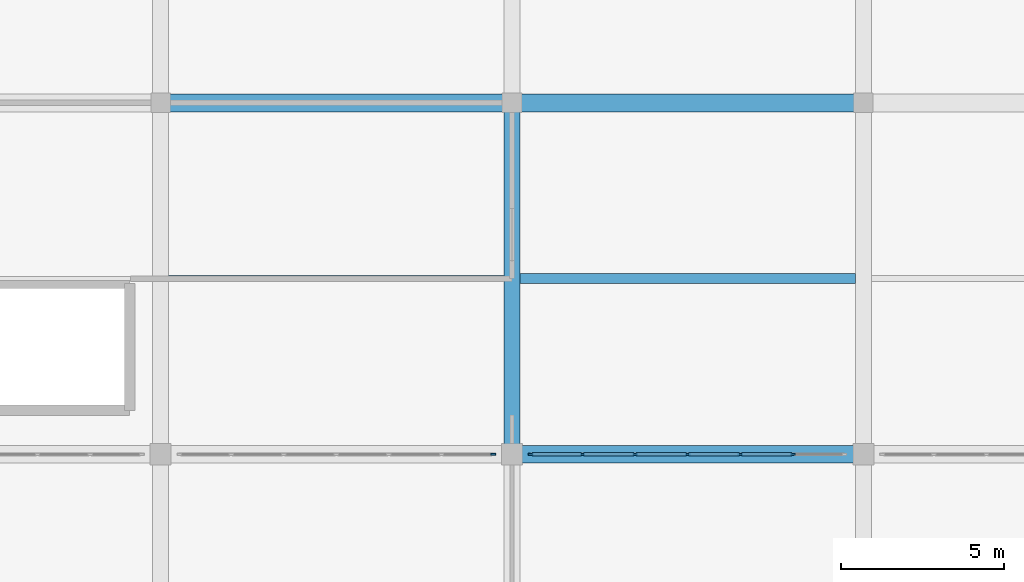
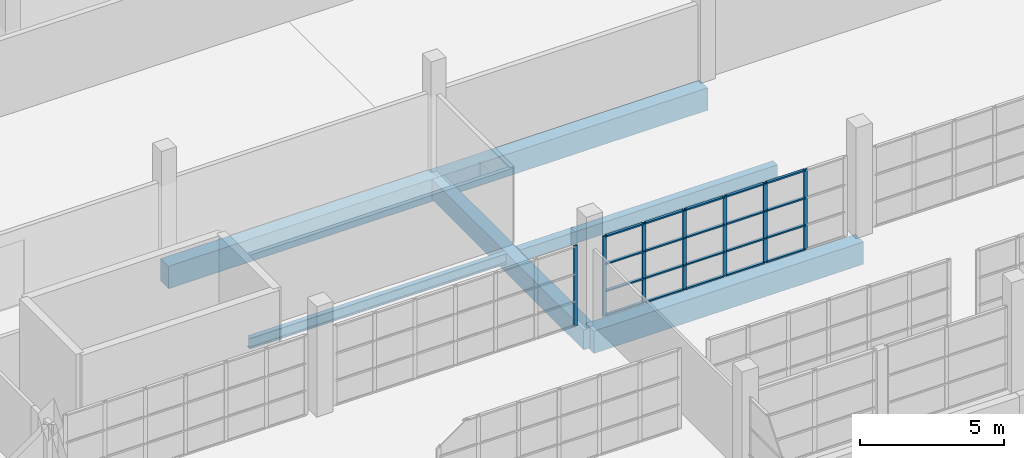
# One storey, part 47 of 142: 27 members, 6 beams, 2 elements without a shape of their own.
"""IFC4 building model written with IfcOpenShell, lengths in metres."""

from ifc_helpers import new_model, si_unit, direction, frame, origin, origin_2d, place, context, subcontext, project, spatial, rectangle, i_section, extrude, material, material_profile, profile_set, type_object, element, aggregate, save


model = new_model("IFC4")

# Units and contexts
model_context = context("Model", 3, precision=1e-05, world=origin(), true_north=direction((0.0, 1.0)))
body_context = subcontext(model_context, "Body", "Model", "MODEL_VIEW")
ifc_project = project(units=[si_unit("LENGTHUNIT", "METRE"), si_unit("AREAUNIT", "SQUARE_METRE"), si_unit("VOLUMEUNIT", "CUBIC_METRE"), si_unit("PLANEANGLEUNIT", "RADIAN"), si_unit("MASSUNIT", "GRAM", prefix="KILO")], contexts=[model_context])

# Site, building, storey
site_placement = place(None, origin())
site = spatial("IfcSite", under=ifc_project, at=site_placement, CompositionType="ELEMENT")
building_placement = place(site_placement, origin())
building = spatial("IfcBuilding", under=site, at=building_placement, Name="Zwinboog Wholesale Market", CompositionType="ELEMENT")
storey_placement = place(building_placement, frame((0.0, 0.0, 5.39990234375)))
storey = spatial("IfcBuildingStorey", under=building, at=storey_placement, Name="L01", CompositionType="ELEMENT", Elevation=5.39990234375)

# Beams
ifc_material_1 = material(Name="Precast concrete C45/55", Category="concrete")
ifc_material_profile_1 = material_profile(ifc_material_1, rectangle(XDim=0.550048828125, YDim=0.949951171875, at=origin_2d()), Name="PC 550x950")
ifc_profile_set_1 = profile_set([ifc_material_profile_1], Name="Precast concrete C45/55")
beam_type_1 = type_object("IfcBeamType", Name="BT-02", PredefinedType="BEAM", material=ifc_profile_set_1)
beam_1_placement = place(storey_placement, frame((86.39990234375, 97.199951171875, -0.7548828125), z_axis=(1.0, 0.0, 0.0), x_axis=(0.0, 1.0, 0.0)))
element("IfcBeam", 1, at=beam_1_placement, inside=storey, type_object=beam_type_1, Name="BG-02 (BMG-L01-0864-0972-0533)", PredefinedType="BEAM", context=body_context, shape_type="SweptSolid", body=[
    extrude(rectangle(XDim=0.550048828125, YDim=0.949951171875, at=origin_2d()), origin(), (0.0, 0.0, 1.0), 10.800048828125),
])
beam_2_placement = place(storey_placement, frame((75.60009765625, 108.0, -0.77978515625), z_axis=(1.0, 0.0, 0.0), x_axis=(0.0, 1.0, 0.0)))
element("IfcBeam", 2, at=beam_2_placement, inside=storey, type_object=beam_type_1, Name="BG-02 (BMG-L01-0756-1080-0548)", PredefinedType="BEAM", context=body_context, shape_type="SweptSolid", body=[
    extrude(rectangle(XDim=0.550048828125, YDim=0.949951171875, at=origin_2d()), origin(), (0.0, 0.0, 1.0), 10.7998046875),
])
beam_3_placement = place(storey_placement, frame((86.39990234375, 108.0, -0.77978515625), z_axis=(1.0, 0.0, 0.0), x_axis=(0.0, 1.0, 0.0)))
element("IfcBeam", 3, at=beam_3_placement, inside=storey, type_object=beam_type_1, Name="BG-02 (BMG-L01-0864-1080-0549)", PredefinedType="BEAM", context=body_context, shape_type="SweptSolid", body=[
    extrude(rectangle(XDim=0.550048828125, YDim=0.949951171875, at=origin_2d()), origin(), (0.0, 0.0, 1.0), 10.800048828125),
])
ifc_material_profile_2 = material_profile(ifc_material_1, rectangle(XDim=0.5, YDim=0.85009765625, at=origin_2d()), Name="PC 500x850")
ifc_profile_set_2 = profile_set([ifc_material_profile_2], Name="Precast concrete C45/55")
beam_type_2 = type_object("IfcBeamType", Name="BT-03", PredefinedType="BEAM", material=ifc_profile_set_2)
beam_4_placement = place(storey_placement, frame((86.39990234375, 97.199951171875, -0.72998046875), z_axis=(0.0, 1.0, 0.0), x_axis=(-1.0, 0.0, 0.0)))
element("IfcBeam", 4, at=beam_4_placement, inside=storey, type_object=beam_type_2, Name="BG-03 (BMG-L01-0864-0972-0686)", PredefinedType="BEAM", context=body_context, shape_type="SweptSolid", body=[
    extrude(rectangle(XDim=0.5, YDim=0.85009765625, at=origin_2d()), origin(), (0.0, 0.0, 1.0), 10.800048828125),
])
ifc_material_profile_3 = material_profile(ifc_material_1, rectangle(XDim=0.300048828125, YDim=0.5, at=origin_2d()), Name="PC 300x500")
ifc_profile_set_3 = profile_set([ifc_material_profile_3], Name="Precast concrete C45/55")
beam_type_3 = type_object("IfcBeamType", Name="BT-10", PredefinedType="JOIST", material=ifc_profile_set_3)
beam_5_placement = place(storey_placement, frame((86.64990234375, 102.60009765625, -0.52978515625), z_axis=(1.0, 0.0, 0.0), x_axis=(0.0, 1.0, 0.0)))
element("IfcBeam", 5, at=beam_5_placement, inside=storey, type_object=beam_type_3, Name="BJ-01 (BMG-L01-0866-1026-0835)", PredefinedType="JOIST", context=body_context, shape_type="SweptSolid", body=[
    extrude(rectangle(XDim=0.300048828125, YDim=0.5, at=origin_2d()), origin(), (0.0, 0.0, 1.0), 10.300048828125),
])
ifc_material_2 = material(Name="Steel S355", Category="steel")
ifc_material_profile_4 = material_profile(ifc_material_2, i_section(OverallWidth=0.18994140625, OverallDepth=0.449951171875, WebThickness=0.009521484375, FlangeThickness=0.0146484375, FilletRadius=0.02099609375, at=origin_2d()), Name="IPE 450")
ifc_profile_set_4 = profile_set([ifc_material_profile_4], Name="Steel S355")
beam_type_4 = type_object("IfcBeamType", Name="BT-19", PredefinedType="JOIST", material=ifc_profile_set_4)
beam_6_placement = place(storey_placement, frame((75.85009765625, 102.60009765625, -0.5048828125), z_axis=(1.0, 0.0, 0.0), x_axis=(0.0, 1.0, 0.0)))
element("IfcBeam", 6, at=beam_6_placement, inside=storey, type_object=beam_type_4, Name="SJ-02 (BMG-L01-0758-1026-0827)", PredefinedType="JOIST", context=body_context, shape_type="SweptSolid", body=[
    extrude(i_section(OverallWidth=0.18994140625, OverallDepth=0.449951171875, WebThickness=0.009521484375, FlangeThickness=0.0146484375, FilletRadius=0.02099609375, at=origin_2d()), origin(), (0.0, 0.0, 1.0), 10.2998046875),
])

# Curtain wall, member
ifc_material_3 = material(Name="Aluminium thermally broken curtain wall", Category="aluminium")
curtain_wall_type = type_object("IfcCurtainWallType", Name="CWT-INT-STALL", PredefinedType="USERDEFINED", material=ifc_material_3)
curtain_wall_1_placement = place(storey_placement, origin())
curtain_wall_1 = element("IfcCurtainWall", 7, at=curtain_wall_1_placement, inside=storey, type_object=curtain_wall_type, Name="CW-07 (CW-STL-246)", ObjectType="STOREFRONT_GLAZING", PredefinedType="USERDEFINED")
ifc_material_4 = material(Name="Aluminium EN AW-6060", Category="aluminium")
ifc_material_profile_5 = material_profile(ifc_material_4, rectangle(XDim=0.06005859375, YDim=0.14990234375, at=origin_2d()), Name="AL 60x150")
ifc_profile_set_5 = profile_set([ifc_material_profile_5], Name="Aluminium EN AW-6060")
member_type_1 = type_object("IfcMemberType", Name="CWM-INT-60x120", PredefinedType="MULLION", material=ifc_profile_set_5)
member_1_placement = place(storey_placement, frame((85.820068359375, 97.199951171875, 0.0), z_axis=(0.0, 0.0, 1.0), x_axis=(0.0, 1.0, 0.0)))
member_1 = element("IfcMember", 8, at=member_1_placement, type_object=member_type_1, Name="CW-07 mullion 7", PredefinedType="MULLION", context=body_context, shape_type="SweptSolid", body=[
    extrude(rectangle(XDim=0.06005859375, YDim=0.14990234375, at=origin_2d()), origin(), (0.0, 0.0, 1.0), 3.400146484375),
])
aggregate(curtain_wall_1, [member_1])

# Curtain wall, members
curtain_wall_2_placement = place(storey_placement, origin())
curtain_wall_2 = element("IfcCurtainWall", 9, at=curtain_wall_2_placement, inside=storey, type_object=curtain_wall_type, Name="CW-07 (CW-STL-247)", ObjectType="STOREFRONT_GLAZING", PredefinedType="USERDEFINED")
member_2_placement = place(storey_placement, frame((86.97998046875, 97.199951171875, 0.0), z_axis=(0.0, 0.0, 1.0), x_axis=(0.0, 1.0, 0.0)))
member_2 = element("IfcMember", 10, at=member_2_placement, type_object=member_type_1, Name="CW-07 mullion 1", PredefinedType="MULLION", context=body_context, shape_type="SweptSolid", body=[
    extrude(rectangle(XDim=0.06005859375, YDim=0.14990234375, at=origin_2d()), origin(), (0.0, 0.0, 1.0), 3.400146484375),
])
member_3_placement = place(storey_placement, frame((88.566650390625, 97.199951171875, 0.0), z_axis=(0.0, 0.0, 1.0), x_axis=(0.0, 1.0, 0.0)))
member_3 = element("IfcMember", 11, at=member_3_placement, type_object=member_type_1, Name="CW-07 mullion 2", PredefinedType="MULLION", context=body_context, shape_type="SweptSolid", body=[
    extrude(rectangle(XDim=0.06005859375, YDim=0.14990234375, at=origin_2d()), origin(), (0.0, 0.0, 1.0), 3.400146484375),
])
member_4_placement = place(storey_placement, frame((90.183349609375, 97.199951171875, 0.0), z_axis=(0.0, 0.0, 1.0), x_axis=(0.0, 1.0, 0.0)))
member_4 = element("IfcMember", 12, at=member_4_placement, type_object=member_type_1, Name="CW-07 mullion 3", PredefinedType="MULLION", context=body_context, shape_type="SweptSolid", body=[
    extrude(rectangle(XDim=0.06005859375, YDim=0.14990234375, at=origin_2d()), origin(), (0.0, 0.0, 1.0), 3.400146484375),
])
member_5_placement = place(storey_placement, frame((91.800048828125, 97.199951171875, 0.0), z_axis=(0.0, 0.0, 1.0), x_axis=(0.0, 1.0, 0.0)))
member_5 = element("IfcMember", 13, at=member_5_placement, type_object=member_type_1, Name="CW-07 mullion 4", PredefinedType="MULLION", context=body_context, shape_type="SweptSolid", body=[
    extrude(rectangle(XDim=0.06005859375, YDim=0.14990234375, at=origin_2d()), origin(), (0.0, 0.0, 1.0), 3.400146484375),
])
member_6_placement = place(storey_placement, frame((93.416748046875, 97.199951171875, 0.0), z_axis=(0.0, 0.0, 1.0), x_axis=(0.0, 1.0, 0.0)))
member_6 = element("IfcMember", 14, at=member_6_placement, type_object=member_type_1, Name="CW-07 mullion 5", PredefinedType="MULLION", context=body_context, shape_type="SweptSolid", body=[
    extrude(rectangle(XDim=0.06005859375, YDim=0.14990234375, at=origin_2d()), origin(), (0.0, 0.0, 1.0), 3.400146484375),
])
member_7_placement = place(storey_placement, frame((95.033447265625, 97.199951171875, 0.0), z_axis=(0.0, 0.0, 1.0), x_axis=(0.0, 1.0, 0.0)))
member_7 = element("IfcMember", 15, at=member_7_placement, type_object=member_type_1, Name="CW-07 mullion 6", PredefinedType="MULLION", context=body_context, shape_type="SweptSolid", body=[
    extrude(rectangle(XDim=0.06005859375, YDim=0.14990234375, at=origin_2d()), origin(), (0.0, 0.0, 1.0), 3.400146484375),
])
ifc_material_profile_6 = material_profile(ifc_material_4, rectangle(XDim=0.110107421875, YDim=0.06005859375, at=origin_2d()), Name="AL 60x110")
ifc_profile_set_6 = profile_set([ifc_material_profile_6], Name="Aluminium EN AW-6060")
member_type_2 = type_object("IfcMemberType", Name="CWT-INT-60x100", PredefinedType="USERDEFINED", material=ifc_profile_set_6)
member_8_placement = place(storey_placement, frame((87.010009765625, 97.199951171875, 0.030029296875), z_axis=(1.0, 0.0, 0.0), x_axis=(0.0, 1.0, 0.0)))
member_8 = element("IfcMember", 16, at=member_8_placement, type_object=member_type_2, Name="CW-07 transom 1.1", ObjectType="TRANSOM", PredefinedType="USERDEFINED", context=body_context, shape_type="SweptSolid", body=[
    extrude(rectangle(XDim=0.110107421875, YDim=0.06005859375, at=origin_2d()), origin(), (0.0, 0.0, 1.0), 1.526611328125),
])
member_9_placement = place(storey_placement, frame((87.010009765625, 97.199951171875, 1.050048828125), z_axis=(1.0, 0.0, 0.0), x_axis=(0.0, 1.0, 0.0)))
member_9 = element("IfcMember", 17, at=member_9_placement, type_object=member_type_2, Name="CW-07 transom 1.2", ObjectType="TRANSOM", PredefinedType="USERDEFINED", context=body_context, shape_type="SweptSolid", body=[
    extrude(rectangle(XDim=0.110107421875, YDim=0.06005859375, at=origin_2d()), origin(), (0.0, 0.0, 1.0), 1.526611328125),
])
member_10_placement = place(storey_placement, frame((87.010009765625, 97.199951171875, 2.2001953125), z_axis=(1.0, 0.0, 0.0), x_axis=(0.0, 1.0, 0.0)))
member_10 = element("IfcMember", 18, at=member_10_placement, type_object=member_type_2, Name="CW-07 transom 1.3", ObjectType="TRANSOM", PredefinedType="USERDEFINED", context=body_context, shape_type="SweptSolid", body=[
    extrude(rectangle(XDim=0.110107421875, YDim=0.06005859375, at=origin_2d()), origin(), (0.0, 0.0, 1.0), 1.526611328125),
])
member_11_placement = place(storey_placement, frame((87.010009765625, 97.199951171875, 3.3701171875), z_axis=(1.0, 0.0, 0.0), x_axis=(0.0, 1.0, 0.0)))
member_11 = element("IfcMember", 19, at=member_11_placement, type_object=member_type_2, Name="CW-07 transom 1.4", ObjectType="TRANSOM", PredefinedType="USERDEFINED", context=body_context, shape_type="SweptSolid", body=[
    extrude(rectangle(XDim=0.110107421875, YDim=0.06005859375, at=origin_2d()), origin(), (0.0, 0.0, 1.0), 1.526611328125),
])
member_12_placement = place(storey_placement, frame((88.5966796875, 97.199951171875, 0.030029296875), z_axis=(1.0, 0.0, 0.0), x_axis=(0.0, 1.0, 0.0)))
member_12 = element("IfcMember", 20, at=member_12_placement, type_object=member_type_2, Name="CW-07 transom 2.1", ObjectType="TRANSOM", PredefinedType="USERDEFINED", context=body_context, shape_type="SweptSolid", body=[
    extrude(rectangle(XDim=0.110107421875, YDim=0.06005859375, at=origin_2d()), origin(), (0.0, 0.0, 1.0), 1.556640625),
])
member_13_placement = place(storey_placement, frame((88.5966796875, 97.199951171875, 1.050048828125), z_axis=(1.0, 0.0, 0.0), x_axis=(0.0, 1.0, 0.0)))
member_13 = element("IfcMember", 21, at=member_13_placement, type_object=member_type_2, Name="CW-07 transom 2.2", ObjectType="TRANSOM", PredefinedType="USERDEFINED", context=body_context, shape_type="SweptSolid", body=[
    extrude(rectangle(XDim=0.110107421875, YDim=0.06005859375, at=origin_2d()), origin(), (0.0, 0.0, 1.0), 1.556640625),
])
member_14_placement = place(storey_placement, frame((88.5966796875, 97.199951171875, 2.2001953125), z_axis=(1.0, 0.0, 0.0), x_axis=(0.0, 1.0, 0.0)))
member_14 = element("IfcMember", 22, at=member_14_placement, type_object=member_type_2, Name="CW-07 transom 2.3", ObjectType="TRANSOM", PredefinedType="USERDEFINED", context=body_context, shape_type="SweptSolid", body=[
    extrude(rectangle(XDim=0.110107421875, YDim=0.06005859375, at=origin_2d()), origin(), (0.0, 0.0, 1.0), 1.556640625),
])
member_15_placement = place(storey_placement, frame((88.5966796875, 97.199951171875, 3.3701171875), z_axis=(1.0, 0.0, 0.0), x_axis=(0.0, 1.0, 0.0)))
member_15 = element("IfcMember", 23, at=member_15_placement, type_object=member_type_2, Name="CW-07 transom 2.4", ObjectType="TRANSOM", PredefinedType="USERDEFINED", context=body_context, shape_type="SweptSolid", body=[
    extrude(rectangle(XDim=0.110107421875, YDim=0.06005859375, at=origin_2d()), origin(), (0.0, 0.0, 1.0), 1.556640625),
])
member_16_placement = place(storey_placement, frame((90.21337890625, 97.199951171875, 0.030029296875), z_axis=(1.0, 0.0, 0.0), x_axis=(0.0, 1.0, 0.0)))
member_16 = element("IfcMember", 24, at=member_16_placement, type_object=member_type_2, Name="CW-07 transom 3.1", ObjectType="TRANSOM", PredefinedType="USERDEFINED", context=body_context, shape_type="SweptSolid", body=[
    extrude(rectangle(XDim=0.110107421875, YDim=0.06005859375, at=origin_2d()), origin(), (0.0, 0.0, 1.0), 1.556640625),
])
member_17_placement = place(storey_placement, frame((90.21337890625, 97.199951171875, 1.050048828125), z_axis=(1.0, 0.0, 0.0), x_axis=(0.0, 1.0, 0.0)))
member_17 = element("IfcMember", 25, at=member_17_placement, type_object=member_type_2, Name="CW-07 transom 3.2", ObjectType="TRANSOM", PredefinedType="USERDEFINED", context=body_context, shape_type="SweptSolid", body=[
    extrude(rectangle(XDim=0.110107421875, YDim=0.06005859375, at=origin_2d()), origin(), (0.0, 0.0, 1.0), 1.556640625),
])
member_18_placement = place(storey_placement, frame((90.21337890625, 97.199951171875, 2.2001953125), z_axis=(1.0, 0.0, 0.0), x_axis=(0.0, 1.0, 0.0)))
member_18 = element("IfcMember", 26, at=member_18_placement, type_object=member_type_2, Name="CW-07 transom 3.3", ObjectType="TRANSOM", PredefinedType="USERDEFINED", context=body_context, shape_type="SweptSolid", body=[
    extrude(rectangle(XDim=0.110107421875, YDim=0.06005859375, at=origin_2d()), origin(), (0.0, 0.0, 1.0), 1.556640625),
])
member_19_placement = place(storey_placement, frame((90.21337890625, 97.199951171875, 3.3701171875), z_axis=(1.0, 0.0, 0.0), x_axis=(0.0, 1.0, 0.0)))
member_19 = element("IfcMember", 27, at=member_19_placement, type_object=member_type_2, Name="CW-07 transom 3.4", ObjectType="TRANSOM", PredefinedType="USERDEFINED", context=body_context, shape_type="SweptSolid", body=[
    extrude(rectangle(XDim=0.110107421875, YDim=0.06005859375, at=origin_2d()), origin(), (0.0, 0.0, 1.0), 1.556640625),
])
member_20_placement = place(storey_placement, frame((91.830078125, 97.199951171875, 0.030029296875), z_axis=(1.0, 0.0, 0.0), x_axis=(0.0, 1.0, 0.0)))
member_20 = element("IfcMember", 28, at=member_20_placement, type_object=member_type_2, Name="CW-07 transom 4.1", ObjectType="TRANSOM", PredefinedType="USERDEFINED", context=body_context, shape_type="SweptSolid", body=[
    extrude(rectangle(XDim=0.110107421875, YDim=0.06005859375, at=origin_2d()), origin(), (0.0, 0.0, 1.0), 1.556640625),
])
member_21_placement = place(storey_placement, frame((91.830078125, 97.199951171875, 1.050048828125), z_axis=(1.0, 0.0, 0.0), x_axis=(0.0, 1.0, 0.0)))
member_21 = element("IfcMember", 29, at=member_21_placement, type_object=member_type_2, Name="CW-07 transom 4.2", ObjectType="TRANSOM", PredefinedType="USERDEFINED", context=body_context, shape_type="SweptSolid", body=[
    extrude(rectangle(XDim=0.110107421875, YDim=0.06005859375, at=origin_2d()), origin(), (0.0, 0.0, 1.0), 1.556640625),
])
member_22_placement = place(storey_placement, frame((91.830078125, 97.199951171875, 2.2001953125), z_axis=(1.0, 0.0, 0.0), x_axis=(0.0, 1.0, 0.0)))
member_22 = element("IfcMember", 30, at=member_22_placement, type_object=member_type_2, Name="CW-07 transom 4.3", ObjectType="TRANSOM", PredefinedType="USERDEFINED", context=body_context, shape_type="SweptSolid", body=[
    extrude(rectangle(XDim=0.110107421875, YDim=0.06005859375, at=origin_2d()), origin(), (0.0, 0.0, 1.0), 1.556640625),
])
member_23_placement = place(storey_placement, frame((91.830078125, 97.199951171875, 3.3701171875), z_axis=(1.0, 0.0, 0.0), x_axis=(0.0, 1.0, 0.0)))
member_23 = element("IfcMember", 31, at=member_23_placement, type_object=member_type_2, Name="CW-07 transom 4.4", ObjectType="TRANSOM", PredefinedType="USERDEFINED", context=body_context, shape_type="SweptSolid", body=[
    extrude(rectangle(XDim=0.110107421875, YDim=0.06005859375, at=origin_2d()), origin(), (0.0, 0.0, 1.0), 1.556640625),
])
member_24_placement = place(storey_placement, frame((93.44677734375, 97.199951171875, 0.030029296875), z_axis=(1.0, 0.0, 0.0), x_axis=(0.0, 1.0, 0.0)))
member_24 = element("IfcMember", 32, at=member_24_placement, type_object=member_type_2, Name="CW-07 transom 5.1", ObjectType="TRANSOM", PredefinedType="USERDEFINED", context=body_context, shape_type="SweptSolid", body=[
    extrude(rectangle(XDim=0.110107421875, YDim=0.06005859375, at=origin_2d()), origin(), (0.0, 0.0, 1.0), 1.556640625),
])
member_25_placement = place(storey_placement, frame((93.44677734375, 97.199951171875, 1.050048828125), z_axis=(1.0, 0.0, 0.0), x_axis=(0.0, 1.0, 0.0)))
member_25 = element("IfcMember", 33, at=member_25_placement, type_object=member_type_2, Name="CW-07 transom 5.2", ObjectType="TRANSOM", PredefinedType="USERDEFINED", context=body_context, shape_type="SweptSolid", body=[
    extrude(rectangle(XDim=0.110107421875, YDim=0.06005859375, at=origin_2d()), origin(), (0.0, 0.0, 1.0), 1.556640625),
])
member_26_placement = place(storey_placement, frame((93.44677734375, 97.199951171875, 2.2001953125), z_axis=(1.0, 0.0, 0.0), x_axis=(0.0, 1.0, 0.0)))
member_26 = element("IfcMember", 34, at=member_26_placement, type_object=member_type_2, Name="CW-07 transom 5.3", ObjectType="TRANSOM", PredefinedType="USERDEFINED", context=body_context, shape_type="SweptSolid", body=[
    extrude(rectangle(XDim=0.110107421875, YDim=0.06005859375, at=origin_2d()), origin(), (0.0, 0.0, 1.0), 1.556640625),
])
member_27_placement = place(storey_placement, frame((93.44677734375, 97.199951171875, 3.3701171875), z_axis=(1.0, 0.0, 0.0), x_axis=(0.0, 1.0, 0.0)))
member_27 = element("IfcMember", 35, at=member_27_placement, type_object=member_type_2, Name="CW-07 transom 5.4", ObjectType="TRANSOM", PredefinedType="USERDEFINED", context=body_context, shape_type="SweptSolid", body=[
    extrude(rectangle(XDim=0.110107421875, YDim=0.06005859375, at=origin_2d()), origin(), (0.0, 0.0, 1.0), 1.556640625),
])
aggregate(curtain_wall_2, [member_2, member_3, member_4, member_5, member_6, member_7, member_8, member_9, member_10, member_11, member_12, member_13, member_14, member_15, member_16, member_17, member_18, member_19, member_20, member_21, member_22, member_23, member_24, member_25, member_26, member_27])

save(model, "model.ifc")
